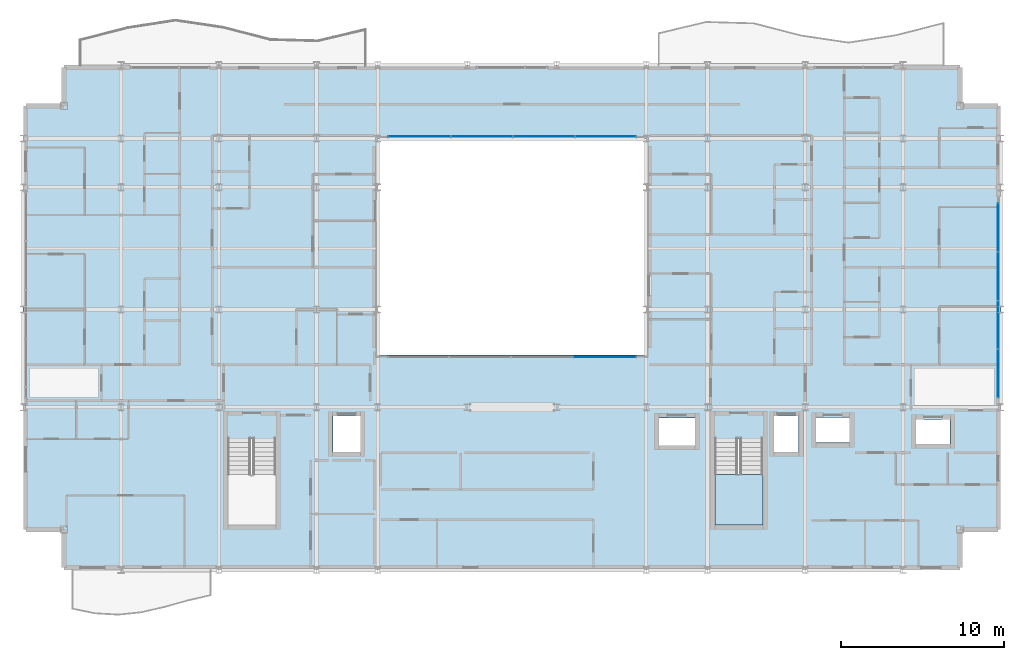
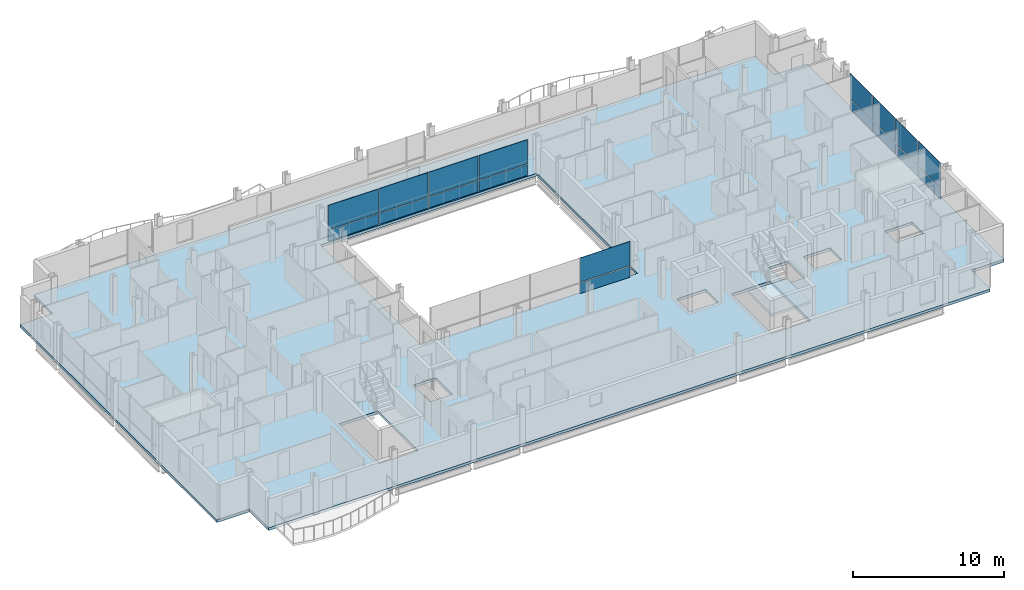
# One storey, part 27 of 40: 18 plates, 2 slabs, 4 elements without a shape of their own.
"""IFC4 building model written with IfcOpenShell, lengths in metres."""

from ifc_helpers import new_model, si_unit, direction, frame, origin, origin_2d, place, context, subcontext, project, spatial, polyline, rectangle, outline, extrude, material, layer, layer_set, type_object, element, aggregate, save


model = new_model("IFC4")

# Units and contexts
model_context = context("Model", 3, precision=1e-05, world=origin(), true_north=direction((0.0, 1.0)))
body_context = subcontext(model_context, "Body", "Model", "MODEL_VIEW")
ifc_project = project(units=[si_unit("LENGTHUNIT", "METRE"), si_unit("AREAUNIT", "SQUARE_METRE"), si_unit("VOLUMEUNIT", "CUBIC_METRE"), si_unit("PLANEANGLEUNIT", "RADIAN"), si_unit("MASSUNIT", "GRAM", prefix="KILO")], contexts=[model_context])

# Site, building, storey
site_placement = place(None, origin())
site = spatial("IfcSite", under=ifc_project, at=site_placement, CompositionType="ELEMENT")
building_placement = place(site_placement, origin())
building = spatial("IfcBuilding", under=site, at=building_placement, Name="Brevholm Reach", CompositionType="ELEMENT")
storey_placement = place(building_placement, frame((0.0, 0.0, 119.0)))
storey = spatial("IfcBuildingStorey", under=building, at=storey_placement, Name="L35", CompositionType="ELEMENT", Elevation=119.0)

# Curtain wall, plates
ifc_material_1 = material(Name="Dark Anodised Aluminium 6063-T6 and Solar-Control Glass", Category="aluminium")
ifc_layer_1 = layer(ifc_material_1, 0.14990234375)
ifc_layer_set_1 = layer_set([ifc_layer_1], Name="Dark Anodised Aluminium 6063-T6 and Solar-Control Glass")
curtain_wall_type_1 = type_object("IfcCurtainWallType", Name="CW-01", PredefinedType="NOTDEFINED", material=ifc_layer_set_1)
curtain_wall_1_placement = place(storey_placement, origin())
curtain_wall_1 = element("IfcCurtainWall", 1, at=curtain_wall_1_placement, inside=storey, type_object=curtain_wall_type_1, Name="L35 Curtain Wall CW-01", PredefinedType="NOTDEFINED")
ifc_material_2 = material(Name="Dark Solar-Control Double-Glazed IGU Glass", Category="glass")
ifc_layer_2 = layer(ifc_material_2, 0.028076171875)
ifc_layer_set_2 = layer_set([ifc_layer_2], Name="Dark Solar-Control Double-Glazed IGU Glass")
plate_type_1 = type_object("IfcPlateType", Name="CWP-GLZ-28", PredefinedType="CURTAIN_PANEL", material=ifc_layer_set_2)
plate_1_placement = place(storey_placement, frame((59.85009765625, 12.066162109375, 0.0), z_axis=(0.0, 0.0, 1.0), x_axis=(0.0, 1.0, 0.0)))
plate_1 = element("IfcPlate", 2, at=plate_1_placement, type_object=plate_type_1, Name="CP-01 Glazing Panel 1.1", PredefinedType="CURTAIN_PANEL", context=body_context, shape_type="SweptSolid", body=[
    extrude(rectangle(XDim=2.902587890625, YDim=0.028076171875, at=origin_2d()), origin(), (0.0, 0.0, 1.0), 0.867431640625),
])
plate_2_placement = place(storey_placement, frame((59.85009765625, 12.066162109375, 0.9326171875), z_axis=(0.0, 0.0, 1.0), x_axis=(0.0, 1.0, 0.0)))
plate_2 = element("IfcPlate", 3, at=plate_2_placement, type_object=plate_type_1, Name="CP-01 Glazing Panel 1.2", PredefinedType="CURTAIN_PANEL", context=body_context, shape_type="SweptSolid", body=[
    extrude(rectangle(XDim=2.902587890625, YDim=0.028076171875, at=origin_2d()), origin(), (0.0, 0.0, 1.0), 1.947509765625),
])
plate_3_placement = place(storey_placement, frame((59.85009765625, 15.050048828125, 0.0), z_axis=(0.0, 0.0, 1.0), x_axis=(0.0, 1.0, 0.0)))
plate_3 = element("IfcPlate", 4, at=plate_3_placement, type_object=plate_type_1, Name="CP-01 Glazing Panel 2.1", PredefinedType="CURTAIN_PANEL", context=body_context, shape_type="SweptSolid", body=[
    extrude(rectangle(XDim=2.93505859375, YDim=0.028076171875, at=origin_2d()), origin(), (0.0, 0.0, 1.0), 0.867431640625),
])
plate_4_placement = place(storey_placement, frame((59.85009765625, 15.050048828125, 0.9326171875), z_axis=(0.0, 0.0, 1.0), x_axis=(0.0, 1.0, 0.0)))
plate_4 = element("IfcPlate", 5, at=plate_4_placement, type_object=plate_type_1, Name="CP-01 Glazing Panel 2.2", PredefinedType="CURTAIN_PANEL", context=body_context, shape_type="SweptSolid", body=[
    extrude(rectangle(XDim=2.93505859375, YDim=0.028076171875, at=origin_2d()), origin(), (0.0, 0.0, 1.0), 1.947509765625),
])
plate_5_placement = place(storey_placement, frame((59.85009765625, 18.050048828125, 0.0), z_axis=(0.0, 0.0, 1.0), x_axis=(0.0, 1.0, 0.0)))
plate_5 = element("IfcPlate", 6, at=plate_5_placement, type_object=plate_type_1, Name="CP-01 Glazing Panel 3.1", PredefinedType="CURTAIN_PANEL", context=body_context, shape_type="SweptSolid", body=[
    extrude(rectangle(XDim=2.93505859375, YDim=0.028076171875, at=origin_2d()), origin(), (0.0, 0.0, 1.0), 0.867431640625),
])
plate_6_placement = place(storey_placement, frame((59.85009765625, 18.050048828125, 0.9326171875), z_axis=(0.0, 0.0, 1.0), x_axis=(0.0, 1.0, 0.0)))
plate_6 = element("IfcPlate", 7, at=plate_6_placement, type_object=plate_type_1, Name="CP-01 Glazing Panel 3.2", PredefinedType="CURTAIN_PANEL", context=body_context, shape_type="SweptSolid", body=[
    extrude(rectangle(XDim=2.93505859375, YDim=0.028076171875, at=origin_2d()), origin(), (0.0, 0.0, 1.0), 1.947509765625),
])
plate_7_placement = place(storey_placement, frame((59.85009765625, 21.050048828125, 0.0), z_axis=(0.0, 0.0, 1.0), x_axis=(0.0, 1.0, 0.0)))
plate_7 = element("IfcPlate", 8, at=plate_7_placement, type_object=plate_type_1, Name="CP-01 Glazing Panel 4.1", PredefinedType="CURTAIN_PANEL", context=body_context, shape_type="SweptSolid", body=[
    extrude(rectangle(XDim=2.93505859375, YDim=0.028076171875, at=origin_2d()), origin(), (0.0, 0.0, 1.0), 0.867431640625),
])
plate_8_placement = place(storey_placement, frame((59.85009765625, 21.050048828125, 0.9326171875), z_axis=(0.0, 0.0, 1.0), x_axis=(0.0, 1.0, 0.0)))
plate_8 = element("IfcPlate", 9, at=plate_8_placement, type_object=plate_type_1, Name="CP-01 Glazing Panel 4.2", PredefinedType="CURTAIN_PANEL", context=body_context, shape_type="SweptSolid", body=[
    extrude(rectangle(XDim=2.93505859375, YDim=0.028076171875, at=origin_2d()), origin(), (0.0, 0.0, 1.0), 1.947509765625),
])
aggregate(curtain_wall_1, [plate_1, plate_2, plate_3, plate_4, plate_5, plate_6, plate_7, plate_8])

ifc_material_3 = material(Name="Dark Anodised Aluminium 6063-T6 and Solar-Control Glass", Category="aluminium")
ifc_layer_3 = layer(ifc_material_3, 0.139892578125)
ifc_layer_set_3 = layer_set([ifc_layer_3], Name="Dark Anodised Aluminium 6063-T6 and Solar-Control Glass")
curtain_wall_type_2 = type_object("IfcCurtainWallType", Name="CW-02", PredefinedType="NOTDEFINED", material=ifc_layer_set_3)
curtain_wall_2_placement = place(storey_placement, origin())
curtain_wall_2 = element("IfcCurtainWall", 10, at=curtain_wall_2_placement, inside=storey, type_object=curtain_wall_type_2, Name="L35 Curtain Wall CW-02", PredefinedType="NOTDEFINED")
ifc_material_4 = material(Name="Low-Iron Laminated Acoustic Glass", Category="glass")
ifc_layer_4 = layer(ifc_material_4, 0.035888671875)
ifc_layer_set_4 = layer_set([ifc_layer_4], Name="Low-Iron Laminated Acoustic Glass")
plate_type_2 = type_object("IfcPlateType", Name="CWP-GLZ-36", PredefinedType="CURTAIN_PANEL", material=ifc_layer_set_4)
plate_9_placement = place(storey_placement, frame((35.68505859375, 13.080078125, 0.0), z_axis=(0.0, 0.0, 1.0), x_axis=(1.0, 0.0, 0.0)))
plate_9 = element("IfcPlate", 11, at=plate_9_placement, type_object=plate_type_2, Name="CP-02 Glazing Panel 4.1", PredefinedType="CURTAIN_PANEL", context=body_context, shape_type="SweptSolid", body=[
    extrude(rectangle(XDim=3.81005859375, YDim=0.035888671875, at=origin_2d()), origin(), (0.0, 0.0, 1.0), 0.8701171875),
])
plate_10_placement = place(storey_placement, frame((35.68505859375, 13.080078125, 0.93017578125), z_axis=(0.0, 0.0, 1.0), x_axis=(1.0, 0.0, 0.0)))
plate_10 = element("IfcPlate", 12, at=plate_10_placement, type_object=plate_type_2, Name="CP-02 Glazing Panel 4.2", PredefinedType="CURTAIN_PANEL", context=body_context, shape_type="SweptSolid", body=[
    extrude(rectangle(XDim=3.81005859375, YDim=0.035888671875, at=origin_2d()), origin(), (0.0, 0.0, 1.0), 1.949951171875),
])
aggregate(curtain_wall_2, [plate_9, plate_10])

curtain_wall_3_placement = place(storey_placement, origin())
curtain_wall_3 = element("IfcCurtainWall", 13, at=curtain_wall_3_placement, inside=storey, type_object=curtain_wall_type_2, Name="L35 Curtain Wall CW-02", PredefinedType="NOTDEFINED")
plate_11_placement = place(storey_placement, frame((35.735107421875, 26.6201171875, 0.0), z_axis=(0.0, 0.0, 1.0), x_axis=(-1.0, 0.0, 0.0)))
plate_11 = element("IfcPlate", 14, at=plate_11_placement, type_object=plate_type_2, Name="CP-02 Glazing Panel 1.1", PredefinedType="CURTAIN_PANEL", context=body_context, shape_type="SweptSolid", body=[
    extrude(rectangle(XDim=3.7099609375, YDim=0.035888671875, at=origin_2d()), origin(), (0.0, 0.0, 1.0), 0.8701171875),
])
plate_12_placement = place(storey_placement, frame((35.735107421875, 26.6201171875, 0.93017578125), z_axis=(0.0, 0.0, 1.0), x_axis=(-1.0, 0.0, 0.0)))
plate_12 = element("IfcPlate", 15, at=plate_12_placement, type_object=plate_type_2, Name="CP-02 Glazing Panel 1.2", PredefinedType="CURTAIN_PANEL", context=body_context, shape_type="SweptSolid", body=[
    extrude(rectangle(XDim=3.7099609375, YDim=0.035888671875, at=origin_2d()), origin(), (0.0, 0.0, 1.0), 1.949951171875),
])
plate_13_placement = place(storey_placement, frame((31.949951171875, 26.6201171875, 0.0), z_axis=(0.0, 0.0, 1.0), x_axis=(-1.0, 0.0, 0.0)))
plate_13 = element("IfcPlate", 16, at=plate_13_placement, type_object=plate_type_2, Name="CP-02 Glazing Panel 2.1", PredefinedType="CURTAIN_PANEL", context=body_context, shape_type="SweptSolid", body=[
    extrude(rectangle(XDim=3.739990234375, YDim=0.035888671875, at=origin_2d()), origin(), (0.0, 0.0, 1.0), 0.8701171875),
])
plate_14_placement = place(storey_placement, frame((31.949951171875, 26.6201171875, 0.93017578125), z_axis=(0.0, 0.0, 1.0), x_axis=(-1.0, 0.0, 0.0)))
plate_14 = element("IfcPlate", 17, at=plate_14_placement, type_object=plate_type_2, Name="CP-02 Glazing Panel 2.2", PredefinedType="CURTAIN_PANEL", context=body_context, shape_type="SweptSolid", body=[
    extrude(rectangle(XDim=3.739990234375, YDim=0.035888671875, at=origin_2d()), origin(), (0.0, 0.0, 1.0), 1.949951171875),
])
plate_15_placement = place(storey_placement, frame((28.14990234375, 26.6201171875, 0.0), z_axis=(0.0, 0.0, 1.0), x_axis=(-1.0, 0.0, 0.0)))
plate_15 = element("IfcPlate", 18, at=plate_15_placement, type_object=plate_type_2, Name="CP-02 Glazing Panel 3.1", PredefinedType="CURTAIN_PANEL", context=body_context, shape_type="SweptSolid", body=[
    extrude(rectangle(XDim=3.739990234375, YDim=0.035888671875, at=origin_2d()), origin(), (0.0, 0.0, 1.0), 0.8701171875),
])
plate_16_placement = place(storey_placement, frame((28.14990234375, 26.6201171875, 0.93017578125), z_axis=(0.0, 0.0, 1.0), x_axis=(-1.0, 0.0, 0.0)))
plate_16 = element("IfcPlate", 19, at=plate_16_placement, type_object=plate_type_2, Name="CP-02 Glazing Panel 3.2", PredefinedType="CURTAIN_PANEL", context=body_context, shape_type="SweptSolid", body=[
    extrude(rectangle(XDim=3.739990234375, YDim=0.035888671875, at=origin_2d()), origin(), (0.0, 0.0, 1.0), 1.949951171875),
])
plate_17_placement = place(storey_placement, frame((24.31494140625, 26.6201171875, 0.0), z_axis=(0.0, 0.0, 1.0), x_axis=(-1.0, 0.0, 0.0)))
plate_17 = element("IfcPlate", 20, at=plate_17_placement, type_object=plate_type_2, Name="CP-02 Glazing Panel 4.1", PredefinedType="CURTAIN_PANEL", context=body_context, shape_type="SweptSolid", body=[
    extrude(rectangle(XDim=3.81005859375, YDim=0.035888671875, at=origin_2d()), origin(), (0.0, 0.0, 1.0), 0.8701171875),
])
plate_18_placement = place(storey_placement, frame((24.31494140625, 26.6201171875, 0.93017578125), z_axis=(0.0, 0.0, 1.0), x_axis=(-1.0, 0.0, 0.0)))
plate_18 = element("IfcPlate", 21, at=plate_18_placement, type_object=plate_type_2, Name="CP-02 Glazing Panel 4.2", PredefinedType="CURTAIN_PANEL", context=body_context, shape_type="SweptSolid", body=[
    extrude(rectangle(XDim=3.81005859375, YDim=0.035888671875, at=origin_2d()), origin(), (0.0, 0.0, 1.0), 1.949951171875),
])
aggregate(curtain_wall_3, [plate_11, plate_12, plate_13, plate_14, plate_15, plate_16, plate_17, plate_18])

# Slab
ifc_material_5 = material(Name="Concrete C40/50", Category="concrete")
ifc_layer_5 = layer(ifc_material_5, 0.219970703125)
ifc_layer_set_5 = layer_set([ifc_layer_5], Name="Concrete C40/50")
slab_type_1 = type_object("IfcSlabType", Name="SLB-FL-220", PredefinedType="FLOOR", material=ifc_layer_set_5)
slab_1_placement = place(storey_placement, frame((0.0, 0.0, -0.219970703125)))
element("IfcSlab", 22, at=slab_1_placement, inside=storey, type_object=slab_type_1, Name="L35 Suspended Floor Slab (main)", PredefinedType="FLOOR", context=body_context, shape_type="SweptSolid", body=[
    extrude(outline(polyline([(2.5, 0.0), (57.5, 0.0), (57.5, 2.5), (60.0, 2.5), (60.0, 28.5), (57.5, 28.5), (57.5, 31.0), (2.5, 31.0), (2.5, 28.5), (0.0, 28.5), (0.0, 2.5), (2.5, 2.5), (2.5, 0.0)]), holes=[polyline([(21.75, 13.199951171875), (38.25, 13.199951171875), (38.25, 26.5), (21.75, 26.5), (21.75, 13.199951171875)]), polyline([(12.550048828125, 2.780029296875), (15.5, 2.780029296875), (15.5, 8.044921875), (12.550048828125, 8.044921875), (12.550048828125, 2.780029296875)]), polyline([(42.449951171875, 2.780029296875), (45.39990234375, 2.780029296875), (45.39990234375, 8.044921875), (42.449951171875, 8.044921875), (42.449951171875, 2.780029296875)]), polyline([(19.0, 7.25), (20.699951171875, 7.25), (20.699951171875, 9.449951171875), (19.0, 9.449951171875), (19.0, 7.25)]), polyline([(46.10009765625, 7.25), (47.60009765625, 7.25), (47.60009765625, 9.449951171875), (46.10009765625, 9.449951171875), (46.10009765625, 7.25)]), polyline([(48.675048828125, 7.824951171875), (50.72509765625, 7.824951171875), (50.72509765625, 9.375), (48.675048828125, 9.375), (48.675048828125, 7.824951171875)]), polyline([(54.800048828125, 7.75), (56.89990234375, 7.75), (56.89990234375, 9.25), (54.800048828125, 9.25), (54.800048828125, 7.75)]), polyline([(39.02001953125, 7.64990234375), (41.219970703125, 7.64990234375), (41.219970703125, 9.35009765625), (39.02001953125, 9.35009765625), (39.02001953125, 7.64990234375)])]), origin(), (0.0, 0.0, 1.0), 0.219970703125),
])

# Stair, slab
ifc_material_6 = material(Name="Precast Concrete C40/50", Category="concrete")
stair_type = type_object("IfcStairType", Name="STR-ESC-1400", PredefinedType="DOUBLE_RETURN_STAIR", material=ifc_material_6)
stair_placement = place(storey_placement, origin())
stair = element("IfcStair", 23, at=stair_placement, inside=storey, type_object=stair_type, Name="L35 ST-2", PredefinedType="DOUBLE_RETURN_STAIR")
ifc_material_7 = material(Name="Concrete C40/50", Category="concrete")
ifc_layer_6 = layer(ifc_material_7, 0.199951171875)
ifc_layer_set_6 = layer_set([ifc_layer_6], Name="Concrete C40/50")
slab_type_2 = type_object("IfcSlabType", Name="SLB-LND-200", PredefinedType="LANDING", material=ifc_layer_set_6)
slab_2_placement = place(storey_placement, frame((0.0, 0.0, 1.35009765625)))
slab_2 = element("IfcSlab", 24, at=slab_2_placement, type_object=slab_type_2, Name="ST-2 landing 1", PredefinedType="LANDING", context=body_context, shape_type="SweptSolid", body=[
    extrude(outline(polyline([(42.449951171875, 5.860107421875), (42.449951171875, 2.780029296875), (45.39990234375, 2.780029296875), (45.39990234375, 5.860107421875), (42.449951171875, 5.860107421875)])), origin(), (0.0, 0.0, 1.0), 0.199951171875),
])
aggregate(stair, [slab_2])

save(model, "model.ifc")
